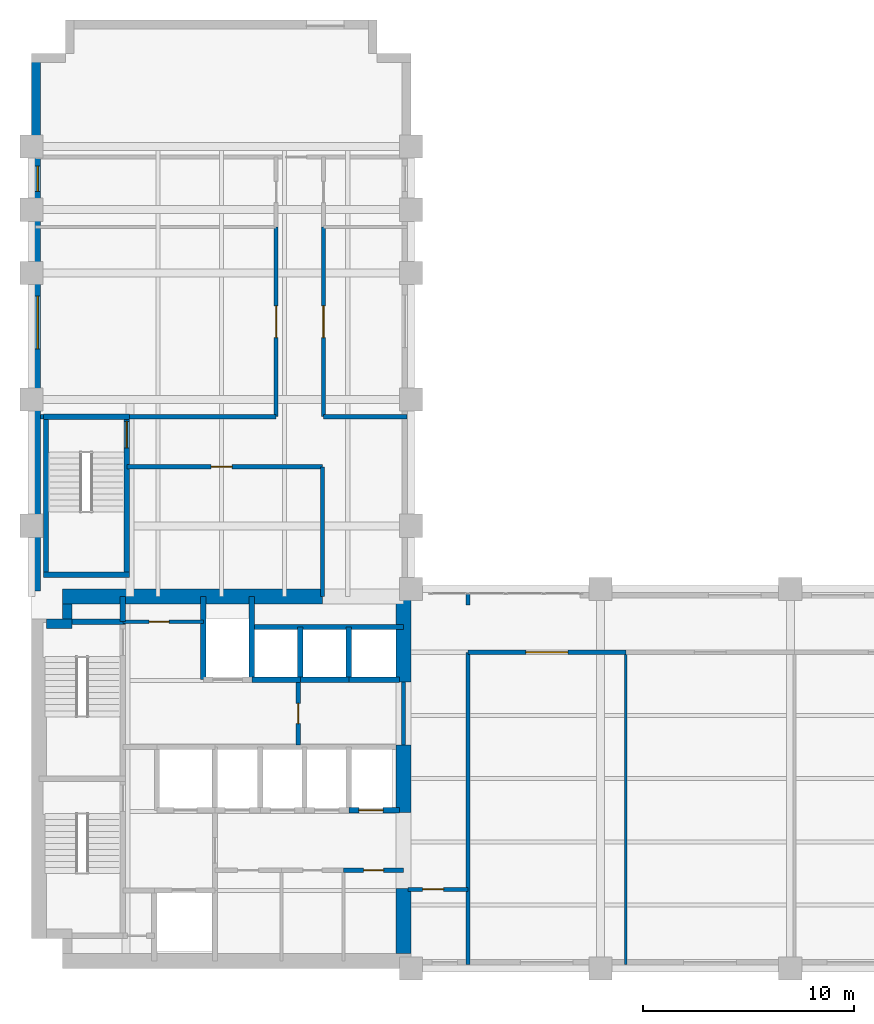
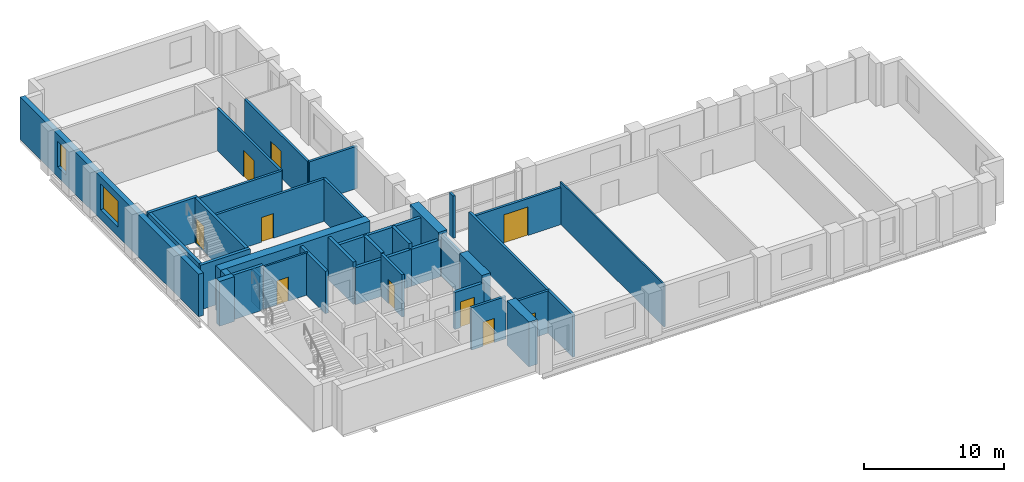
# One storey, part 5 of 8: 38 walls, 10 doors, 2 windows, 12 openings.
"""IFC4 building model written with IfcOpenShell, lengths in metres."""

from ifc_helpers import new_model, si_unit, direction, frame, frame_2d, origin, place, context, subcontext, project, spatial, rectangle, extrude, material, layer, layer_set, type_object, element, fill, save


model = new_model("IFC4")

# Units and contexts
model_context = context("Model", 3, precision=1e-05, world=origin(), true_north=direction((0.0, 1.0)))
body_context = subcontext(model_context, "Body", "Model", "MODEL_VIEW")
ifc_project = project(units=[si_unit("LENGTHUNIT", "METRE"), si_unit("AREAUNIT", "SQUARE_METRE"), si_unit("VOLUMEUNIT", "CUBIC_METRE"), si_unit("PLANEANGLEUNIT", "RADIAN"), si_unit("MASSUNIT", "GRAM", prefix="KILO")], contexts=[model_context])

# Site, building, storey
site_placement = place(None, origin())
site = spatial("IfcSite", under=ifc_project, at=site_placement, CompositionType="ELEMENT")
building_placement = place(site_placement, origin())
building = spatial("IfcBuilding", under=site, at=building_placement, Name="Mawjdan Bourse Tower", CompositionType="ELEMENT")
storey_placement = place(building_placement, frame((0.0, 0.0, 101.10009765625)))
storey = spatial("IfcBuildingStorey", under=building, at=storey_placement, Name="L23", CompositionType="ELEMENT", Elevation=101.10009765625)

# Wall, openings, windows
ifc_material_1 = material(Name="Brick Masonry Buff", Category="masonry")
ifc_layer_1 = layer(ifc_material_1, 0.419921875)
ifc_layer_set_1 = layer_set([ifc_layer_1], Name="Brick Masonry Buff")
wall_type_1 = type_object("IfcWallType", Name="WL-BRK-BUFF-420", PredefinedType="STANDARD", material=ifc_layer_set_1)
wall_1_placement = place(storey_placement, frame((6.2099609375, 46.39990234375, 0.0), z_axis=(0.0, 0.0, 1.0), x_axis=(0.0, -1.0, 0.0)))
wall_1 = element("IfcWall", 1, at=wall_1_placement, inside=storey, type_object=wall_type_1, Name="L23 Exterior Brick Wall 14", PredefinedType="STANDARD", context=body_context, shape_type="SweptSolid", body=[
    extrude(rectangle(XDim=25.5, YDim=0.419921875, at=frame_2d((12.75, 0.0))), origin(), (0.0, 0.0, 1.0), 3.699951171875),
])
opening_1_placement = place(wall_1_placement, frame((11.5, 0.0, 0.85009765625)))
opening_1 = element("IfcOpeningElement", 2, at=opening_1_placement, cuts=wall_1, Name="Opening W-L23-08", PredefinedType="OPENING", context=body_context, shape_type="SweptSolid", body=[
    extrude(rectangle(XDim=2.5, YDim=2.25, at=frame_2d((1.25, 1.125))), frame((0.0, 0.219970703125, 0.0), z_axis=(0.0, -1.0, 0.0), x_axis=(1.0, 0.0, 0.0)), (0.0, 0.0, 1.0), 0.43994140625),
])
opening_2_placement = place(wall_1_placement, frame((5.336181640625, 0.0, 0.85009765625)))
opening_2 = element("IfcOpeningElement", 3, at=opening_2_placement, cuts=wall_1, Name="Opening W-L23-13", PredefinedType="OPENING", context=body_context, shape_type="SweptSolid", body=[
    extrude(rectangle(XDim=1.199951171875, YDim=2.25, at=frame_2d((0.60009765625, 1.125))), frame((0.0, 0.219970703125, 0.0), z_axis=(0.0, -1.0, 0.0), x_axis=(1.0, 0.0, 0.0)), (0.0, 0.0, 1.0), 0.43994140625),
])
ifc_material_2 = material(Name="Solar-Control Clear Double Glazing", Category="glass")
window_type_1 = type_object("IfcWindowType", Name="WN-Z2-1200", PartitioningType="SINGLE_PANEL", PredefinedType="WINDOW", material=ifc_material_2)
window_1_placement = place(opening_2_placement, origin())
window_1 = element("IfcWindow", 4, at=window_1_placement, inside=storey, type_object=window_type_1, Name="L23 Deep-Set Masonry Window W-L23-13", OverallHeight=2.25, OverallWidth=1.199951171875, PartitioningType="SINGLE_PANEL", PredefinedType="WINDOW", context=body_context, shape_type="SweptSolid", body=[
    extrude(rectangle(XDim=1.199951171875, YDim=2.25, at=frame_2d((0.60009765625, 1.125))), frame((0.0, 0.110107421875, 0.0), z_axis=(0.0, -1.0, 0.0), x_axis=(1.0, 0.0, 0.0)), (0.0, 0.0, 1.0), 0.06005859375),
])
fill(opening_2, window_1)
window_type_2 = type_object("IfcWindowType", Name="WN-Z2-2500", PartitioningType="SINGLE_PANEL", PredefinedType="WINDOW", material=ifc_material_2)
window_2_placement = place(opening_1_placement, origin())
window_2 = element("IfcWindow", 5, at=window_2_placement, inside=storey, type_object=window_type_2, Name="L23 Deep-Set Masonry Window W-L23-08", OverallHeight=2.25, OverallWidth=2.5, PartitioningType="SINGLE_PANEL", PredefinedType="WINDOW", context=body_context, shape_type="SweptSolid", body=[
    extrude(rectangle(XDim=2.5, YDim=2.25, at=frame_2d((1.25, 1.125))), frame((0.0, 0.110107421875, 0.0), z_axis=(0.0, -1.0, 0.0), x_axis=(1.0, 0.0, 0.0)), (0.0, 0.0, 1.0), 0.06005859375),
])
fill(opening_1, window_2)

# Wall, opening, door
ifc_material_3 = material(Name="Gypsum Fireboard Assembly")
ifc_layer_2 = layer(ifc_material_3, 0.199951171875)
ifc_layer_set_2 = layer_set([ifc_layer_2], Name="Gypsum Fireboard Assembly")
wall_type_2 = type_object("IfcWallType", Name="WL-CMP-200", PredefinedType="PARTITIONING", material=ifc_layer_set_2)
wall_2_placement = place(storey_placement, frame((20.800048828125, 7.659912109375, 0.0), z_axis=(0.0, 0.0, 1.0), x_axis=(1.0, 0.0, 0.0)))
wall_2 = element("IfcWall", 6, at=wall_2_placement, inside=storey, type_object=wall_type_2, Name="L23 Staff Beverage Pantry North Wall", PredefinedType="PARTITIONING", context=body_context, shape_type="SweptSolid", body=[
    extrude(rectangle(XDim=2.849853515625, YDim=0.199951171875, at=frame_2d((1.4248046875, 0.0))), origin(), (0.0, 0.0, 1.0), 3.68994140625),
])
opening_3_placement = place(wall_2_placement, frame((0.949951171875, 0.0, 0.0)))
opening_3 = element("IfcOpeningElement", 7, at=opening_3_placement, cuts=wall_2, Name="Opening D-L23-12", PredefinedType="OPENING", context=body_context, shape_type="SweptSolid", body=[
    extrude(rectangle(XDim=0.949951171875, YDim=2.10009765625, at=frame_2d((0.47509765625, 1.050048828125))), frame((0.0, 0.10986328125, 0.0), z_axis=(0.0, -1.0, 0.0), x_axis=(1.0, 0.0, 0.0)), (0.0, 0.0, 1.0), 0.219970703125),
])
ifc_material_4 = material(Name="Moisture-Resistant Laminate Timber", Category="wood")
door_type_1 = type_object("IfcDoorType", Name="DR-WET-0950", OperationType="NOTDEFINED", PredefinedType="DOOR", material=ifc_material_4)
door_1_placement = place(opening_3_placement, origin())
door_1 = element("IfcDoor", 8, at=door_1_placement, inside=storey, type_object=door_type_1, Name="L23 Staff Beverage Pantry Door D-L23-12", OperationType="SINGLE_SWING_RIGHT", OverallHeight=2.10009765625, OverallWidth=0.949951171875, PredefinedType="DOOR", context=body_context, shape_type="SweptSolid", body=[
    extrude(rectangle(XDim=0.949951171875, YDim=2.10009765625, at=frame_2d((0.47509765625, 1.050048828125))), frame((0.0, 0.02490234375, 0.0), z_axis=(0.0, -1.0, 0.0), x_axis=(1.0, 0.0, 0.0)), (0.0, 0.0, 1.0), 0.050048828125),
])
fill(opening_3, door_1)

wall_3_placement = place(storey_placement, frame((18.64990234375, 13.60009765625, 0.0), z_axis=(0.0, 0.0, 1.0), x_axis=(0.0, 1.0, 0.0)))
wall_3 = element("IfcWall", 9, at=wall_3_placement, inside=storey, type_object=wall_type_2, Name="L23 Core Restroom West Wall", PredefinedType="PARTITIONING", context=body_context, shape_type="SweptSolid", body=[
    extrude(rectangle(XDim=3.0, YDim=0.199951171875, at=frame_2d((1.5, 0.0))), origin(), (0.0, 0.0, 1.0), 3.68994140625),
])
opening_4_placement = place(wall_3_placement, frame((1.02001953125, 0.0, 0.0)))
opening_4 = element("IfcOpeningElement", 10, at=opening_4_placement, cuts=wall_3, Name="Opening D-L23-17", PredefinedType="OPENING", context=body_context, shape_type="SweptSolid", body=[
    extrude(rectangle(XDim=0.949951171875, YDim=2.10009765625, at=frame_2d((0.47509765625, 1.050048828125))), frame((0.0, 0.10986328125, 0.0), z_axis=(0.0, -1.0, 0.0), x_axis=(1.0, 0.0, 0.0)), (0.0, 0.0, 1.0), 0.219970703125),
])
door_2_placement = place(opening_4_placement, origin())
door_2 = element("IfcDoor", 11, at=door_2_placement, inside=storey, type_object=door_type_1, Name="L23 Accessible WC Entry Door D-L23-17", OperationType="SINGLE_SWING_LEFT", OverallHeight=2.10009765625, OverallWidth=0.949951171875, PredefinedType="DOOR", context=body_context, shape_type="SweptSolid", body=[
    extrude(rectangle(XDim=0.949951171875, YDim=2.10009765625, at=frame_2d((0.47509765625, 1.050048828125))), frame((0.0, 0.02490234375, 0.0), z_axis=(0.0, -1.0, 0.0), x_axis=(1.0, 0.0, 0.0)), (0.0, 0.0, 1.0), 0.050048828125),
])
fill(opening_4, door_2)

# Wall
wall_4_placement = place(storey_placement, frame((23.64990234375, 13.60009765625, 0.0), z_axis=(0.0, 0.0, 1.0), x_axis=(0.0, 1.0, 0.0)))
element("IfcWall", 12, at=wall_4_placement, inside=storey, type_object=wall_type_2, Name="L23 Core Restroom East Enclosing Wall", PredefinedType="PARTITIONING", context=body_context, shape_type="SweptSolid", body=[
    extrude(rectangle(XDim=3.0, YDim=0.199951171875, at=frame_2d((1.5, 0.0))), origin(), (0.0, 0.0, 1.0), 3.68994140625),
])

# Wall, opening, door
wall_5_placement = place(storey_placement, frame((23.85009765625, 6.75, 0.0), z_axis=(0.0, 0.0, 1.0), x_axis=(1.0, 0.0, 0.0)))
wall_5 = element("IfcWall", 13, at=wall_5_placement, inside=storey, type_object=wall_type_2, Name="L23 West Pocket North Wall", PredefinedType="PARTITIONING", context=body_context, shape_type="SweptSolid", body=[
    extrude(rectangle(XDim=2.849853515625, YDim=0.199951171875, at=frame_2d((1.4248046875, 0.0))), origin(), (0.0, 0.0, 1.0), 3.68994140625),
])
opening_5_placement = place(wall_5_placement, frame((0.699951171875, 0.0, 0.0)))
opening_5 = element("IfcOpeningElement", 14, at=opening_5_placement, cuts=wall_5, Name="Opening D-L23-20", PredefinedType="OPENING", context=body_context, shape_type="SweptSolid", body=[
    extrude(rectangle(XDim=1.0, YDim=2.14990234375, at=frame_2d((0.5, 1.074951171875))), frame((0.0, 0.10986328125, 0.0), z_axis=(0.0, -1.0, 0.0), x_axis=(1.0, 0.0, 0.0)), (0.0, 0.0, 1.0), 0.219970703125),
])
ifc_material_5 = material(Name="Hardwood Acoustic Leaf", Category="wood")
door_type_2 = type_object("IfcDoorType", Name="DR-OFC-1000", OperationType="NOTDEFINED", PredefinedType="DOOR", material=ifc_material_5)
door_3_placement = place(opening_5_placement, origin())
door_3 = element("IfcDoor", 15, at=door_3_placement, inside=storey, type_object=door_type_2, Name="L23 West Pocket Office Door D-L23-20", OperationType="SINGLE_SWING_RIGHT", OverallHeight=2.14990234375, OverallWidth=1.0, PredefinedType="DOOR", context=body_context, shape_type="SweptSolid", body=[
    extrude(rectangle(XDim=1.0, YDim=2.14990234375, at=frame_2d((0.5, 1.074951171875))), frame((0.0, 0.02490234375, 0.0), z_axis=(0.0, -1.0, 0.0), x_axis=(1.0, 0.0, 0.0)), (0.0, 0.0, 1.0), 0.050048828125),
])
fill(opening_5, door_3)

# Walls
wall_6_placement = place(storey_placement, frame((26.699951171875, 3.179931640625, 0.0), z_axis=(0.0, 0.0, 1.0), x_axis=(0.0, 1.0, 0.0)))
element("IfcWall", 16, at=wall_6_placement, inside=storey, type_object=wall_type_2, Name="L23 Vestibule South East Wall", PredefinedType="PARTITIONING", context=body_context, shape_type="SweptSolid", body=[
    extrude(rectangle(XDim=14.820068359375, YDim=0.199951171875, at=frame_2d((7.41015625, 0.0))), origin(), (0.0, 0.0, 1.0), 3.68994140625),
])
wall_7_placement = place(storey_placement, frame((26.699951171875, 20.25, 0.0), z_axis=(0.0, 0.0, 1.0), x_axis=(0.0, 1.0, 0.0)))
element("IfcWall", 17, at=wall_7_placement, inside=storey, type_object=wall_type_2, Name="L23 Vestibule North East Wall", PredefinedType="PARTITIONING", context=body_context, shape_type="SweptSolid", body=[
    extrude(rectangle(XDim=0.570068359375, YDim=0.199951171875, at=frame_2d((0.28515625, 0.0))), origin(), (0.0, 0.0, 1.0), 3.68994140625),
])

# Wall, opening, door
wall_8_placement = place(storey_placement, frame((26.699951171875, 18.0, 0.0), z_axis=(0.0, 0.0, 1.0), x_axis=(1.0, 0.0, 0.0)))
wall_8 = element("IfcWall", 18, at=wall_8_placement, inside=storey, type_object=wall_type_2, Name="L23 Institutional Brokerage Hall Corridor Wall", PredefinedType="PARTITIONING", context=body_context, shape_type="SweptSolid", body=[
    extrude(rectangle(XDim=7.5, YDim=0.199951171875, at=frame_2d((3.75, 0.0))), origin(), (0.0, 0.0, 1.0), 3.226806640625),
])
opening_6_placement = place(wall_8_placement, frame((2.75, 0.0, 0.0)))
opening_6 = element("IfcOpeningElement", 19, at=opening_6_placement, cuts=wall_8, Name="Opening D-L23-21", PredefinedType="OPENING", context=body_context, shape_type="SweptSolid", body=[
    extrude(rectangle(XDim=2.0, YDim=2.5, at=frame_2d((1.0, 1.25))), frame((0.0, 0.10986328125, 0.0), z_axis=(0.0, -1.0, 0.0), x_axis=(1.0, 0.0, 0.0)), (0.0, 0.0, 1.0), 0.219970703125),
])
ifc_material_6 = material(Name="Acoustic Veneered Timber", Category="wood")
door_type_3 = type_object("IfcDoorType", Name="DR-ASM-2000", OperationType="DOUBLE_DOOR_SINGLE_SWING", PredefinedType="DOOR", material=ifc_material_6)
door_4_placement = place(opening_6_placement, origin())
door_4 = element("IfcDoor", 20, at=door_4_placement, inside=storey, type_object=door_type_3, Name="L23 Institutional Brokerage Hall Door D-L23-21", OperationType="DOUBLE_DOOR_SINGLE_SWING", OverallHeight=2.5, OverallWidth=2.0, PredefinedType="DOOR", context=body_context, shape_type="SweptSolid", body=[
    extrude(rectangle(XDim=2.0, YDim=2.5, at=frame_2d((1.0, 1.25))), frame((0.0, 0.02490234375, 0.0), z_axis=(0.0, -1.0, 0.0), x_axis=(1.0, 0.0, 0.0)), (0.0, 0.0, 1.0), 0.050048828125),
])
fill(opening_6, door_4)

wall_9_placement = place(storey_placement, frame((10.52001953125, 26.800048828125, 0.0), z_axis=(0.0, 0.0, 1.0), x_axis=(1.0, 0.0, 0.0)))
wall_9 = element("IfcWall", 21, at=wall_9_placement, inside=storey, type_object=wall_type_2, Name="L23 North Throat North Wall", PredefinedType="PARTITIONING", context=body_context, shape_type="SweptSolid", body=[
    extrude(rectangle(XDim=9.280029296875, YDim=0.199951171875, at=frame_2d((4.64013671875, 0.0))), origin(), (0.0, 0.0, 1.0), 3.68994140625),
])
opening_7_placement = place(wall_9_placement, frame((4.0, 0.0, 0.0)))
opening_7 = element("IfcOpeningElement", 22, at=opening_7_placement, cuts=wall_9, Name="Opening D-L23-26", PredefinedType="OPENING", context=body_context, shape_type="SweptSolid", body=[
    extrude(rectangle(XDim=1.0, YDim=2.14990234375, at=frame_2d((0.5, 1.074951171875))), frame((0.0, 0.10986328125, 0.0), z_axis=(0.0, -1.0, 0.0), x_axis=(1.0, 0.0, 0.0)), (0.0, 0.0, 1.0), 0.219970703125),
])
door_5_placement = place(opening_7_placement, origin())
door_5 = element("IfcDoor", 23, at=door_5_placement, inside=storey, type_object=door_type_2, Name="L23 North Throat Suite Door D-L23-26", OperationType="SINGLE_SWING_RIGHT", OverallHeight=2.14990234375, OverallWidth=1.0, PredefinedType="DOOR", context=body_context, shape_type="SweptSolid", body=[
    extrude(rectangle(XDim=1.0, YDim=2.14990234375, at=frame_2d((0.5, 1.074951171875))), frame((0.0, 0.02490234375, 0.0), z_axis=(0.0, -1.0, 0.0), x_axis=(1.0, 0.0, 0.0)), (0.0, 0.0, 1.0), 0.050048828125),
])
fill(opening_7, door_5)

# Walls
wall_10_placement = place(storey_placement, frame((19.800048828125, 20.64990234375, 0.0), z_axis=(0.0, 0.0, 1.0), x_axis=(0.0, 1.0, 0.0)))
element("IfcWall", 24, at=wall_10_placement, inside=storey, type_object=wall_type_2, Name="L23 North Throat East Wall", PredefinedType="PARTITIONING", context=body_context, shape_type="SweptSolid", body=[
    extrude(rectangle(XDim=6.150146484375, YDim=0.199951171875, at=frame_2d((3.0751953125, 0.0))), origin(), (0.0, 0.0, 1.0), 3.68994140625),
])
wall_11_placement = place(storey_placement, frame((6.419921875, 29.179931640625, 0.0), z_axis=(0.0, 0.0, 1.0), x_axis=(1.0, 0.0, 0.0)))
element("IfcWall", 25, at=wall_11_placement, inside=storey, type_object=wall_type_2, Name="L23 North West Band ST3 West Return", PredefinedType="PARTITIONING", context=body_context, shape_type="SweptSolid", body=[
    extrude(rectangle(XDim=0.135009765625, YDim=0.199951171875, at=frame_2d((0.0673828125, 0.0))), origin(), (0.0, 0.0, 1.0), 3.68994140625),
])
wall_12_placement = place(storey_placement, frame((10.6298828125, 29.179931640625, 0.0), z_axis=(0.0, 0.0, 1.0), x_axis=(1.0, 0.0, 0.0)))
element("IfcWall", 26, at=wall_12_placement, inside=storey, type_object=wall_type_2, Name="L23 North West Band South Wall", PredefinedType="PARTITIONING", context=body_context, shape_type="SweptSolid", body=[
    extrude(rectangle(XDim=6.97021484375, YDim=0.199951171875, at=frame_2d((3.485107421875, 0.0))), origin(), (0.0, 0.0, 1.0), 3.68994140625),
])
wall_13_placement = place(storey_placement, frame((19.85009765625, 29.179931640625, 0.0), z_axis=(0.0, 0.0, 1.0), x_axis=(1.0, 0.0, 0.0)))
element("IfcWall", 27, at=wall_13_placement, inside=storey, type_object=wall_type_2, Name="L23 North East Band South Wall", PredefinedType="PARTITIONING", context=body_context, shape_type="SweptSolid", body=[
    extrude(rectangle(XDim=3.969970703125, YDim=0.199951171875, at=frame_2d((1.98486328125, 0.0))), origin(), (0.0, 0.0, 1.0), 3.68994140625),
])

# Wall, opening, door
wall_14_placement = place(storey_placement, frame((17.60009765625, 29.179931640625, 0.0), z_axis=(0.0, 0.0, 1.0), x_axis=(0.0, 1.0, 0.0)))
wall_14 = element("IfcWall", 28, at=wall_14_placement, inside=storey, type_object=wall_type_2, Name="L23 Conference Room Corridor Wall", PredefinedType="PARTITIONING", context=body_context, shape_type="SweptSolid", body=[
    extrude(rectangle(XDim=9.0, YDim=0.199951171875, at=frame_2d((4.5, 0.0))), origin(), (0.0, 0.0, 1.0), 3.68994140625),
])
opening_8_placement = place(wall_14_placement, frame((3.75, 0.0, 0.0)))
opening_8 = element("IfcOpeningElement", 29, at=opening_8_placement, cuts=wall_14, Name="Opening D-L23-27", PredefinedType="OPENING", context=body_context, shape_type="SweptSolid", body=[
    extrude(rectangle(XDim=1.5, YDim=2.300048828125, at=frame_2d((0.75, 1.14990234375))), frame((0.0, 0.10986328125, 0.0), z_axis=(0.0, -1.0, 0.0), x_axis=(1.0, 0.0, 0.0)), (0.0, 0.0, 1.0), 0.219970703125),
])
ifc_material_7 = material(Name="Acoustic Glazed Timber", Category="wood")
door_type_4 = type_object("IfcDoorType", Name="DR-CNF-1500", OperationType="DOUBLE_DOOR_SINGLE_SWING", PredefinedType="DOOR", material=ifc_material_7)
door_6_placement = place(opening_8_placement, origin())
door_6 = element("IfcDoor", 30, at=door_6_placement, inside=storey, type_object=door_type_4, Name="L23 Conference Room Door D-L23-27", OperationType="DOUBLE_DOOR_SINGLE_SWING", OverallHeight=2.300048828125, OverallWidth=1.5, PredefinedType="DOOR", context=body_context, shape_type="SweptSolid", body=[
    extrude(rectangle(XDim=1.5, YDim=2.300048828125, at=frame_2d((0.75, 1.14990234375))), frame((0.0, 0.02490234375, 0.0), z_axis=(0.0, -1.0, 0.0), x_axis=(1.0, 0.0, 0.0)), (0.0, 0.0, 1.0), 0.050048828125),
])
fill(opening_8, door_6)

wall_15_placement = place(storey_placement, frame((19.85009765625, 29.179931640625, 0.0), z_axis=(0.0, 0.0, 1.0), x_axis=(0.0, 1.0, 0.0)))
wall_15 = element("IfcWall", 31, at=wall_15_placement, inside=storey, type_object=wall_type_2, Name="L23 Private Banking Suite Corridor Wall", PredefinedType="PARTITIONING", context=body_context, shape_type="SweptSolid", body=[
    extrude(rectangle(XDim=9.0, YDim=0.199951171875, at=frame_2d((4.5, 0.0))), origin(), (0.0, 0.0, 1.0), 3.68994140625),
])
opening_9_placement = place(wall_15_placement, frame((3.75, 0.0, 0.0)))
opening_9 = element("IfcOpeningElement", 32, at=opening_9_placement, cuts=wall_15, Name="Opening D-L23-29", PredefinedType="OPENING", context=body_context, shape_type="SweptSolid", body=[
    extrude(rectangle(XDim=1.5, YDim=2.300048828125, at=frame_2d((0.75, 1.14990234375))), frame((0.0, 0.10986328125, 0.0), z_axis=(0.0, -1.0, 0.0), x_axis=(1.0, 0.0, 0.0)), (0.0, 0.0, 1.0), 0.219970703125),
])
door_7_placement = place(opening_9_placement, origin())
door_7 = element("IfcDoor", 33, at=door_7_placement, inside=storey, type_object=door_type_4, Name="L23 Private Banking Suite Door D-L23-29", OperationType="DOUBLE_DOOR_SINGLE_SWING", OverallHeight=2.300048828125, OverallWidth=1.5, PredefinedType="DOOR", context=body_context, shape_type="SweptSolid", body=[
    extrude(rectangle(XDim=1.5, YDim=2.300048828125, at=frame_2d((0.75, 1.14990234375))), frame((0.0, 0.02490234375, 0.0), z_axis=(0.0, -1.0, 0.0), x_axis=(1.0, 0.0, 0.0)), (0.0, 0.0, 1.0), 0.050048828125),
])
fill(opening_9, door_7)

# Walls
ifc_material_8 = material(Name="Concrete C60/75", Category="concrete")
ifc_layer_3 = layer(ifc_material_8, 0.449951171875)
ifc_layer_set_3 = layer_set([ifc_layer_3], Name="Concrete C60/75")
wall_type_3 = type_object("IfcWallType", Name="WL-CORE-450", PredefinedType="SHEAR", material=ifc_layer_set_3)
wall_16_placement = place(storey_placement, frame((6.699951171875, 19.35009765625, 0.0), z_axis=(0.0, 0.0, 1.0), x_axis=(1.0, 0.0, 0.0)))
element("IfcWall", 34, at=wall_16_placement, inside=storey, type_object=wall_type_3, Name="L23 Rear Core Shear Wall NW-X", PredefinedType="SHEAR", context=body_context, shape_type="SweptSolid", body=[
    extrude(rectangle(XDim=1.22509765625, YDim=0.449951171875, at=frame_2d((0.612548828125, 0.0))), origin(), (0.0, 0.0, 1.0), 3.89990234375),
])
wall_17_placement = place(storey_placement, frame((7.699951171875, 19.574951171875, 0.0), z_axis=(0.0, 0.0, 1.0), x_axis=(0.0, 1.0, 0.0)))
element("IfcWall", 35, at=wall_17_placement, inside=storey, type_object=wall_type_3, Name="L23 Rear Core Shear Wall NW-Y", PredefinedType="SHEAR", context=body_context, shape_type="SweptSolid", body=[
    extrude(rectangle(XDim=0.72509765625, YDim=0.449951171875, at=frame_2d((0.362548828125, 0.0))), origin(), (0.0, 0.0, 1.0), 3.89990234375),
])
ifc_material_9 = material(Name="Concrete C70/85", Category="concrete")
ifc_layer_4 = layer(ifc_material_9, 0.699951171875)
ifc_layer_set_4 = layer_set([ifc_layer_4], Name="Concrete C70/85")
wall_type_4 = type_object("IfcWallType", Name="WL-CORE-700", PredefinedType="SHEAR", material=ifc_layer_set_4)
wall_18_placement = place(storey_placement, frame((7.47509765625, 20.64990234375, 0.0), z_axis=(0.0, 0.0, 1.0), x_axis=(1.0, 0.0, 0.0)))
element("IfcWall", 36, at=wall_18_placement, inside=storey, type_object=wall_type_4, Name="L23 Rear Core Shear Wall N", PredefinedType="SHEAR", context=body_context, shape_type="SweptSolid", body=[
    extrude(rectangle(XDim=12.324951171875, YDim=0.699951171875, at=frame_2d((6.16259765625, 0.0))), origin(), (0.0, 0.0, 1.0), 3.89990234375),
])
wall_19_placement = place(storey_placement, frame((23.64990234375, 3.699951171875, 0.0), z_axis=(0.0, 0.0, 1.0), x_axis=(0.0, 1.0, 0.0)))
element("IfcWall", 37, at=wall_19_placement, inside=storey, type_object=wall_type_4, Name="L23 Rear Core Shear Wall E1", PredefinedType="SHEAR", context=body_context, shape_type="SweptSolid", body=[
    extrude(rectangle(XDim=3.10009765625, YDim=0.699951171875, at=frame_2d((1.550048828125, 0.0))), origin(), (0.0, 0.0, 1.0), 3.89990234375),
])
wall_20_placement = place(storey_placement, frame((23.64990234375, 10.39990234375, 0.0), z_axis=(0.0, 0.0, 1.0), x_axis=(0.0, 1.0, 0.0)))
element("IfcWall", 38, at=wall_20_placement, inside=storey, type_object=wall_type_4, Name="L23 Rear Core Shear Wall E2", PredefinedType="SHEAR", context=body_context, shape_type="SweptSolid", body=[
    extrude(rectangle(XDim=3.2001953125, YDim=0.699951171875, at=frame_2d((1.60009765625, 0.0))), origin(), (0.0, 0.0, 1.0), 3.89990234375),
])
wall_21_placement = place(storey_placement, frame((23.64990234375, 16.60009765625, 0.0), z_axis=(0.0, 0.0, 1.0), x_axis=(0.0, 1.0, 0.0)))
element("IfcWall", 39, at=wall_21_placement, inside=storey, type_object=wall_type_4, Name="L23 Rear Core Shear Wall E3", PredefinedType="SHEAR", context=body_context, shape_type="SweptSolid", body=[
    extrude(rectangle(XDim=4.0498046875, YDim=0.699951171875, at=frame_2d((2.02490234375, 0.0))), origin(), (0.0, 0.0, 1.0), 3.89990234375),
])
ifc_material_10 = material(Name="Gypsum Partition")
ifc_layer_5 = layer(ifc_material_10, 0.125)
ifc_layer_set_5 = layer_set([ifc_layer_5], Name="Gypsum Partition")
wall_type_5 = type_object("IfcWallType", Name="WL-PRT-125", PredefinedType="PARTITIONING", material=ifc_layer_set_5)
wall_22_placement = place(storey_placement, frame((34.199951171875, 3.179931640625, 0.0), z_axis=(0.0, 0.0, 1.0), x_axis=(0.0, 1.0, 0.0)))
element("IfcWall", 40, at=wall_22_placement, inside=storey, type_object=wall_type_5, Name="L23 Conference Room Partition", PredefinedType="PARTITIONING", context=body_context, shape_type="SweptSolid", body=[
    extrude(rectangle(XDim=14.820068359375, YDim=0.125, at=frame_2d((7.41015625, 0.0))), origin(), (0.0, 0.0, 1.0), 3.68994140625),
])

# Wall, opening, door
ifc_material_11 = material(Name="Gypsum Acoustic Partition")
ifc_layer_6 = layer(ifc_material_11, 0.14990234375)
ifc_layer_set_6 = layer_set([ifc_layer_6], Name="Gypsum Acoustic Partition")
wall_type_6 = type_object("IfcWallType", Name="WL-PRT-150", PredefinedType="PARTITIONING", material=ifc_layer_set_6)
wall_23_placement = place(storey_placement, frame((10.330078125, 19.449951171875, 0.0), z_axis=(0.0, 0.0, 1.0), x_axis=(1.0, 0.0, 0.0)))
wall_23 = element("IfcWall", 41, at=wall_23_placement, inside=storey, type_object=wall_type_6, Name="L23 Housekeeping South Wall", PredefinedType="PARTITIONING", context=body_context, shape_type="SweptSolid", body=[
    extrude(rectangle(XDim=3.81982421875, YDim=0.14990234375, at=frame_2d((1.909912109375, 0.0))), origin(), (0.0, 0.0, 1.0), 3.68994140625),
])
opening_10_placement = place(wall_23_placement, frame((1.25, 0.0, 0.0)))
opening_10 = element("IfcOpeningElement", 42, at=opening_10_placement, cuts=wall_23, Name="Opening D-L23-18", PredefinedType="OPENING", context=body_context, shape_type="SweptSolid", body=[
    extrude(rectangle(XDim=0.949951171875, YDim=2.10009765625, at=frame_2d((0.47509765625, 1.050048828125))), frame((0.0, 0.0849609375, 0.0), z_axis=(0.0, -1.0, 0.0), x_axis=(1.0, 0.0, 0.0)), (0.0, 0.0, 1.0), 0.169921875),
])
door_8_placement = place(opening_10_placement, origin())
door_8 = element("IfcDoor", 43, at=door_8_placement, inside=storey, type_object=door_type_1, Name="L23 Housekeeping Closet Door D-L23-18", OperationType="SINGLE_SWING_RIGHT", OverallHeight=2.10009765625, OverallWidth=0.949951171875, PredefinedType="DOOR", context=body_context, shape_type="SweptSolid", body=[
    extrude(rectangle(XDim=0.949951171875, YDim=2.10009765625, at=frame_2d((0.47509765625, 1.050048828125))), frame((0.0, 0.02490234375, 0.0), z_axis=(0.0, -1.0, 0.0), x_axis=(1.0, 0.0, 0.0)), (0.0, 0.0, 1.0), 0.050048828125),
])
fill(opening_10, door_8)

# Walls
ifc_material_12 = material(Name="Concrete C50/60", Category="concrete")
ifc_layer_7 = layer(ifc_material_12, 0.25)
ifc_layer_set_7 = layer_set([ifc_layer_7], Name="Concrete C50/60")
wall_type_7 = type_object("IfcWallType", Name="WL-SHFT-250", PredefinedType="PARTITIONING", material=ifc_layer_set_7)
wall_24_placement = place(storey_placement, frame((10.330078125, 19.449951171875, 0.0), z_axis=(0.0, 0.0, 1.0), x_axis=(0.0, 1.0, 0.0)))
element("IfcWall", 44, at=wall_24_placement, inside=storey, type_object=wall_type_7, Name="L23 NW Riser East Wall", PredefinedType="PARTITIONING", context=body_context, shape_type="SweptSolid", body=[
    extrude(rectangle(XDim=1.199951171875, YDim=0.25, at=frame_2d((0.60009765625, 0.0))), origin(), (0.0, 0.0, 1.0), 2.9169921875),
])
for number, where, z_axis, x_axis, name in (
    (45, (14.14990234375, 16.699951171875, 0.0), (0.0, 0.0, 1.0), (0.0, 1.0, 0.0), "L23 SVL-01 West Shaft Wall"),
    (46, (16.449951171875, 16.699951171875, 0.0), (0.0, 0.0, 1.0), (0.0, 1.0, 0.0), "L23 SVL-01 East Shaft Wall"),
):
    element("IfcWall", number, at=place(storey_placement, frame(where, z_axis=z_axis, x_axis=x_axis)), inside=storey, type_object=wall_type_7, Name=name, PredefinedType="PARTITIONING", context=body_context, shape_type="SweptSolid", body=[
        extrude(rectangle(XDim=3.949951171875, YDim=0.25, at=frame_2d((1.97509765625, 0.0))), origin(), (0.0, 0.0, 1.0), 3.68994140625),
    ])
wall_25_placement = place(storey_placement, frame((16.449951171875, 16.699951171875, 0.0), z_axis=(0.0, 0.0, 1.0), x_axis=(1.0, 0.0, 0.0)))
element("IfcWall", 47, at=wall_25_placement, inside=storey, type_object=wall_type_7, Name="L23 PH-01 Front Wall", PredefinedType="PARTITIONING", context=body_context, shape_type="SweptSolid", body=[
    extrude(rectangle(XDim=2.300048828125, YDim=0.25, at=frame_2d((1.14990234375, 0.0))), origin(), (0.0, 0.0, 1.0), 3.226806640625),
])
wall_26_placement = place(storey_placement, frame((18.75, 16.699951171875, 0.0), z_axis=(0.0, 0.0, 1.0), x_axis=(0.0, 1.0, 0.0)))
element("IfcWall", 48, at=wall_26_placement, inside=storey, type_object=wall_type_7, Name="L23 PH-01 Divider Wall", PredefinedType="PARTITIONING", context=body_context, shape_type="SweptSolid", body=[
    extrude(rectangle(XDim=2.5, YDim=0.25, at=frame_2d((1.25, 0.0))), origin(), (0.0, 0.0, 1.0), 3.68994140625),
])
wall_27_placement = place(storey_placement, frame((18.75, 16.699951171875, 0.0), z_axis=(0.0, 0.0, 1.0), x_axis=(1.0, 0.0, 0.0)))
element("IfcWall", 49, at=wall_27_placement, inside=storey, type_object=wall_type_7, Name="L23 PH-02 Front Wall", PredefinedType="PARTITIONING", context=body_context, shape_type="SweptSolid", body=[
    extrude(rectangle(XDim=2.300048828125, YDim=0.25, at=frame_2d((1.14990234375, 0.0))), origin(), (0.0, 0.0, 1.0), 3.226806640625),
])
wall_28_placement = place(storey_placement, frame((21.050048828125, 16.699951171875, 0.0), z_axis=(0.0, 0.0, 1.0), x_axis=(0.0, 1.0, 0.0)))
element("IfcWall", 50, at=wall_28_placement, inside=storey, type_object=wall_type_7, Name="L23 PH-02 Divider Wall", PredefinedType="PARTITIONING", context=body_context, shape_type="SweptSolid", body=[
    extrude(rectangle(XDim=2.5, YDim=0.25, at=frame_2d((1.25, 0.0))), origin(), (0.0, 0.0, 1.0), 3.68994140625),
])
wall_29_placement = place(storey_placement, frame((21.050048828125, 16.699951171875, 0.0), z_axis=(0.0, 0.0, 1.0), x_axis=(1.0, 0.0, 0.0)))
element("IfcWall", 51, at=wall_29_placement, inside=storey, type_object=wall_type_7, Name="L23 PH-03 Front Wall", PredefinedType="PARTITIONING", context=body_context, shape_type="SweptSolid", body=[
    extrude(rectangle(XDim=2.39990234375, YDim=0.25, at=frame_2d((1.199951171875, 0.0))), origin(), (0.0, 0.0, 1.0), 3.226806640625),
])
wall_30_placement = place(storey_placement, frame((16.449951171875, 19.199951171875, 0.0), z_axis=(0.0, 0.0, 1.0), x_axis=(1.0, 0.0, 0.0)))
element("IfcWall", 52, at=wall_30_placement, inside=storey, type_object=wall_type_7, Name="L23 PH Bank North Shaft Back Wall", PredefinedType="PARTITIONING", context=body_context, shape_type="SweptSolid", body=[
    extrude(rectangle(XDim=7.199951171875, YDim=0.25, at=frame_2d((3.60009765625, 0.0))), origin(), (0.0, 0.0, 1.0), 3.68994140625),
])

# Wall, opening, door
wall_31_placement = place(storey_placement, frame((21.050048828125, 10.5, 0.0), z_axis=(0.0, 0.0, 1.0), x_axis=(1.0, 0.0, 0.0)))
wall_31 = element("IfcWall", 53, at=wall_31_placement, inside=storey, type_object=wall_type_7, Name="L23 PM-04 Front Wall", PredefinedType="PARTITIONING", context=body_context, shape_type="SweptSolid", body=[
    extrude(rectangle(XDim=2.39990234375, YDim=0.25, at=frame_2d((1.199951171875, 0.0))), origin(), (0.0, 0.0, 1.0), 3.226806640625),
])
opening_11_placement = place(wall_31_placement, frame((0.47998046875, 0.0, 0.0)))
opening_11 = element("IfcOpeningElement", 54, at=opening_11_placement, cuts=wall_31, Name="Opening LD-L23-16", PredefinedType="OPENING", context=body_context, shape_type="SweptSolid", body=[
    extrude(rectangle(XDim=1.14990234375, YDim=2.25, at=frame_2d((0.574951171875, 1.125))), frame((0.0, 0.135009765625, 0.0), z_axis=(0.0, -1.0, 0.0), x_axis=(1.0, 0.0, 0.0)), (0.0, 0.0, 1.0), 0.27001953125),
])
ifc_material_13 = material(Name="Brushed Stainless Steel", Category="steel")
door_type_5 = type_object("IfcDoorType", Name="LD-PAS-1150", OperationType="DOUBLE_DOOR_SLIDING", PredefinedType="DOOR", material=ifc_material_13)
door_9_placement = place(opening_11_placement, origin())
door_9 = element("IfcDoor", 55, at=door_9_placement, inside=storey, type_object=door_type_5, Name="L23 Lift PM-04 Landing Door LD-L23-16", OperationType="DOUBLE_DOOR_SLIDING", OverallHeight=2.25, OverallWidth=1.14990234375, PredefinedType="DOOR", context=body_context, shape_type="SweptSolid", body=[
    extrude(rectangle(XDim=1.14990234375, YDim=2.25, at=frame_2d((0.574951171875, 1.125))), frame((0.0, 0.02490234375, 0.0), z_axis=(0.0, -1.0, 0.0), x_axis=(1.0, 0.0, 0.0)), (0.0, 0.0, 1.0), 0.050048828125),
])
fill(opening_11, door_9)

# Walls
ifc_layer_8 = layer(ifc_material_12, 0.25)
ifc_layer_set_8 = layer_set([ifc_layer_8], Name="Concrete C50/60")
wall_type_8 = type_object("IfcWallType", Name="WL-STRW-250", PredefinedType="SHEAR", material=ifc_layer_set_8)
wall_32_placement = place(storey_placement, frame((7.699951171875, 19.449951171875, 0.0), z_axis=(0.0, 0.0, 1.0), x_axis=(1.0, 0.0, 0.0)))
element("IfcWall", 56, at=wall_32_placement, inside=storey, type_object=wall_type_8, Name="L23 Stairwell ST2 North Shaft Wall", PredefinedType="SHEAR", context=body_context, shape_type="SweptSolid", body=[
    extrude(rectangle(XDim=2.755126953125, YDim=0.25, at=frame_2d((1.37744140625, 0.0))), origin(), (0.0, 0.0, 1.0), 3.89990234375),
])
for number, where, z_axis, x_axis, name in (
    (57, (6.554931640625, 21.679931640625, 0.0), (0.0, 0.0, 1.0), (1.0, 0.0, 0.0), "L23 ST3 South Shaft Wall"),
    (58, (6.554931640625, 29.179931640625, 0.0), (0.0, 0.0, 1.0), (1.0, 0.0, 0.0), "L23 ST3 North Shaft Wall"),
):
    element("IfcWall", number, at=place(storey_placement, frame(where, z_axis=z_axis, x_axis=x_axis)), inside=storey, type_object=wall_type_8, Name=name, PredefinedType="SHEAR", context=body_context, shape_type="SweptSolid", body=[
        extrude(rectangle(XDim=4.090087890625, YDim=0.25, at=frame_2d((2.044921875, 0.0))), origin(), (0.0, 0.0, 1.0), 3.89990234375),
    ])
wall_33_placement = place(storey_placement, frame((6.679931640625, 21.679931640625, 0.0), z_axis=(0.0, 0.0, 1.0), x_axis=(0.0, 1.0, 0.0)))
element("IfcWall", 59, at=wall_33_placement, inside=storey, type_object=wall_type_8, Name="L23 ST3 West Shaft Wall", PredefinedType="SHEAR", context=body_context, shape_type="SweptSolid", body=[
    extrude(rectangle(XDim=7.5, YDim=0.25, at=frame_2d((3.75, 0.0))), origin(), (0.0, 0.0, 1.0), 3.89990234375),
])

# Wall, opening, door
wall_34_placement = place(storey_placement, frame((10.52001953125, 21.679931640625, 0.0), z_axis=(0.0, 0.0, 1.0), x_axis=(0.0, 1.0, 0.0)))
wall_34 = element("IfcWall", 60, at=wall_34_placement, inside=storey, type_object=wall_type_8, Name="L23 ST3 East Shaft Wall", PredefinedType="SHEAR", context=body_context, shape_type="SweptSolid", body=[
    extrude(rectangle(XDim=7.5, YDim=0.25, at=frame_2d((3.75, 0.0))), origin(), (0.0, 0.0, 1.0), 3.89990234375),
])
opening_12_placement = place(wall_34_placement, frame((6.02001953125, 0.0, 0.0)))
opening_12 = element("IfcOpeningElement", 61, at=opening_12_placement, cuts=wall_34, Name="Opening SD-L23-19", PredefinedType="OPENING", context=body_context, shape_type="SweptSolid", body=[
    extrude(rectangle(XDim=1.25, YDim=2.199951171875, at=frame_2d((0.625, 1.10009765625))), frame((0.0, 0.135009765625, 0.0), z_axis=(0.0, -1.0, 0.0), x_axis=(1.0, 0.0, 0.0)), (0.0, 0.0, 1.0), 0.27001953125),
])
ifc_material_14 = material(Name="Fire-Rated Steel Leaf", Category="steel")
door_type_6 = type_object("IfcDoorType", Name="FD-ST-1250", OperationType="NOTDEFINED", PredefinedType="DOOR", material=ifc_material_14)
door_10_placement = place(opening_12_placement, origin())
door_10 = element("IfcDoor", 62, at=door_10_placement, inside=storey, type_object=door_type_6, Name="L23 Stair ST3 Fire Door SD-L23-19", OperationType="SINGLE_SWING_LEFT", OverallHeight=2.199951171875, OverallWidth=1.25, PredefinedType="DOOR", context=body_context, shape_type="SweptSolid", body=[
    extrude(rectangle(XDim=1.25, YDim=2.199951171875, at=frame_2d((0.625, 1.10009765625))), frame((0.0, 0.02490234375, 0.0), z_axis=(0.0, -1.0, 0.0), x_axis=(1.0, 0.0, 0.0)), (0.0, 0.0, 1.0), 0.050048828125),
])
fill(opening_12, door_10)

save(model, "model.ifc")
